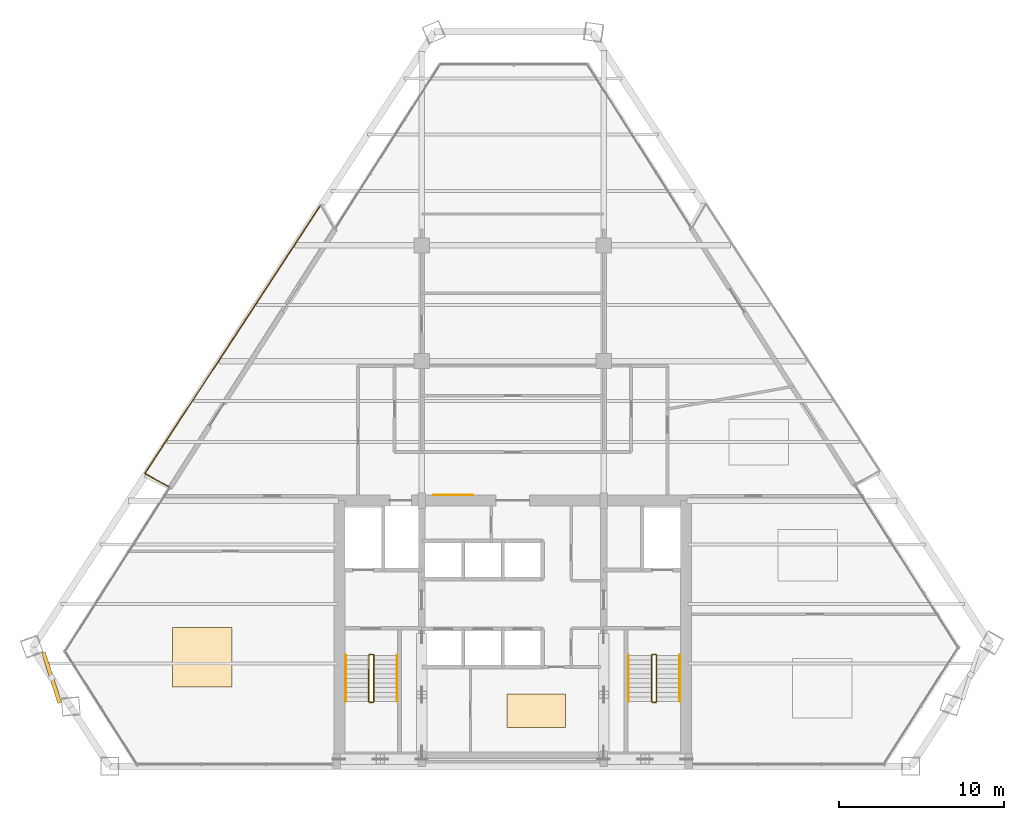
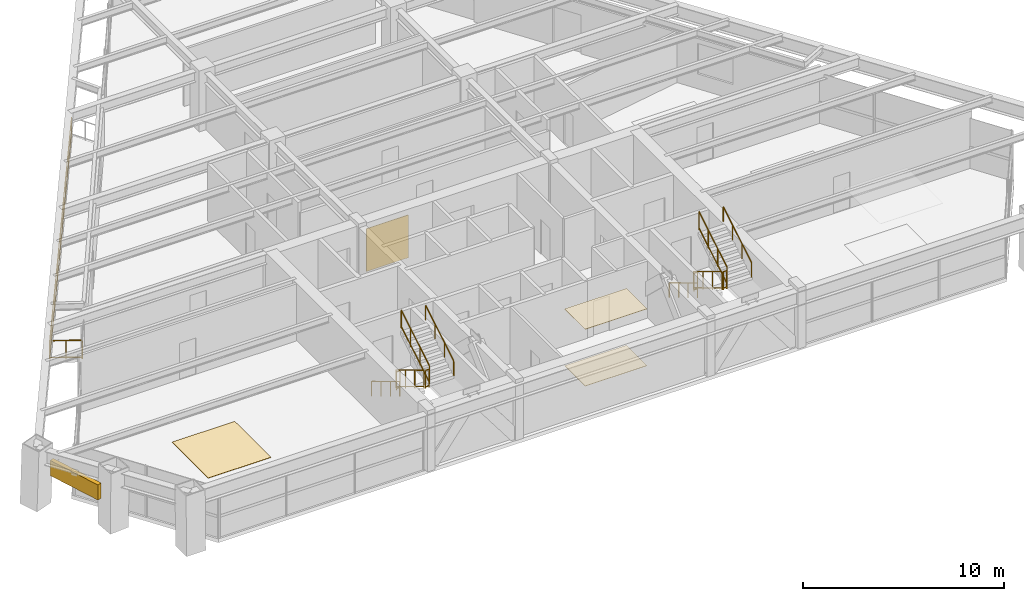
# One storey, part 14 of 15: 14 railings, 4 coverings, 1 shading device.
"""IFC4 building model written with IfcOpenShell, lengths in metres."""

import ifcopenshell
import ifcopenshell.guid

model = None  # the IFC model being written
_history = None  # IfcOwnerHistory: only IFC2X3 demands one
_inside = {}  # id of a spatial element -> (the spatial element, [elements in it])
_under = {}  # id of a project, library or spatial element -> (it, [spatial elements below it])
_declared = {}  # id of a project -> (the project, [libraries it declares])
_typed = {}  # id of a type object -> (the type object, [elements of that type])
_made_of = {}  # id of a material, layer set ... -> (it, [elements and type objects made of it])


def new_model(schema):
    """Start an empty IFC model of exactly this schema.

    Asked for "IFC4X3", IfcOpenShell would pick the latest addendum, in which some entities
    have other attributes; the version numbers below select the first issue.
    IFC2X3 requires an IfcOwnerHistory on every rooted entity: one is made here for all.
    """
    global model, _history
    if schema == "IFC4X3":
        model = ifcopenshell.file(schema_version=(4, 3, 0, 0))
    else:
        model = ifcopenshell.file(schema=schema)
    _inside.clear()
    _under.clear()
    _declared.clear()
    _typed.clear()
    _made_of.clear()
    _history = None
    if model.schema == "IFC2X3":
        org = make("IfcOrganization", Name="unknown")
        user = make(
            "IfcPersonAndOrganization",
            ThePerson=make("IfcPerson", FamilyName="unknown"),
            TheOrganization=org,
        )
        app = make(
            "IfcApplication",
            ApplicationDeveloper=org,
            Version="unknown",
            ApplicationFullName="unknown",
            ApplicationIdentifier="unknown",
        )
        _history = make(
            "IfcOwnerHistory",
            OwningUser=user,
            OwningApplication=app,
            ChangeAction="ADDED",
            CreationDate=0,
        )
    return model


def make(cls, **values):
    """One entity of the class cls with the attributes given. An attribute that is None is left unset."""
    return model.create_entity(
        cls, **{name: value for name, value in values.items() if value is not None}
    )


def rooted(cls, **values):
    """An entity with a GlobalId (a new one), such as an element, a storey or a relation."""
    return make(cls, GlobalId=ifcopenshell.guid.new(), OwnerHistory=_history, **values)


def si_unit(unit_type, name, prefix=None):
    """IfcSIUnit, for example si_unit("LENGTHUNIT", "METRE", prefix="MILLI")."""
    return make("IfcSIUnit", UnitType=unit_type, Prefix=prefix, Name=name)


def assignment(units):
    """IfcUnitAssignment: the units of a project."""
    return None if units is None else make("IfcUnitAssignment", Units=units)


def point(xyz):
    """IfcCartesianPoint."""
    return None if xyz is None else make("IfcCartesianPoint", Coordinates=xyz)


def direction(xyz):
    """IfcDirection."""
    return None if xyz is None else make("IfcDirection", DirectionRatios=xyz)


def frame(location, z_axis=None, x_axis=None):
    """IfcAxis2Placement3D, a coordinate frame: its origin and axes. An axis left out is left unset."""
    return make(
        "IfcAxis2Placement3D",
        Location=point(location),
        Axis=direction(z_axis),
        RefDirection=direction(x_axis),
    )


def frame_2d(location, x_axis=None):
    """IfcAxis2Placement2D, a coordinate frame in the plane: its origin and x axis."""
    return make(
        "IfcAxis2Placement2D", Location=point(location), RefDirection=direction(x_axis)
    )


def origin():
    """The frame at (0, 0, 0) with its axes left unset."""
    return frame((0.0, 0.0, 0.0))


def origin_2d():
    """The frame at (0, 0) in the plane with its x axis left unset."""
    return frame_2d((0.0, 0.0))


def place(relative_to, where):
    """IfcLocalPlacement: puts the frame where relative to a parent placement (None: the world)."""
    return make(
        "IfcLocalPlacement", PlacementRelTo=relative_to, RelativePlacement=where
    )


def context(
    kind, dimensions, precision=None, world=None, true_north=None, identifier=None
):
    """IfcGeometricRepresentationContext, for example the 3D "Model" context."""
    return make(
        "IfcGeometricRepresentationContext",
        ContextIdentifier=identifier,
        ContextType=kind,
        CoordinateSpaceDimension=dimensions,
        Precision=precision,
        WorldCoordinateSystem=world,
        TrueNorth=true_north,
    )


def subcontext(parent, identifier, kind, view, scale=None):
    """IfcGeometricRepresentationSubContext, for example "Body" below "Model"."""
    return make(
        "IfcGeometricRepresentationSubContext",
        ContextIdentifier=identifier,
        ContextType=kind,
        ParentContext=parent,
        TargetScale=scale,
        TargetView=view,
    )


def project(units=None, contexts=None):
    """IfcProject with its units and contexts."""
    return rooted(
        "IfcProject",
        Name="project",
        RepresentationContexts=contexts,
        UnitsInContext=assignment(units),
    )


def spatial(cls, under=None, at=None, **own):
    """A site, building, storey or space (cls), placed at a placement, below another one or the project."""
    s = rooted(cls, ObjectPlacement=at, **own)
    if under is not None:
        _under.setdefault(under.id(), (under, []))[1].append(s)
    return s


def profile(cls, at=None, kind="AREA", **sizes):
    """A parametric profile (cls). Its sizes go by their IFC names, for example OverallWidth=200.0."""
    return make(cls, ProfileType=kind, Position=at, **sizes)


def rectangle(**sizes):
    """IfcRectangleProfileDef."""
    return profile("IfcRectangleProfileDef", **sizes)


def extrude(swept, where, along, depth):
    """IfcExtrudedAreaSolid: the profile swept, set in the frame where, extruded along a direction by depth."""
    return make(
        "IfcExtrudedAreaSolid",
        SweptArea=swept,
        Position=where,
        ExtrudedDirection=direction(along),
        Depth=depth,
    )


def shape(context_of_items, identifier, shape_type, items):
    """IfcShapeRepresentation: the items that make up one representation, for example the "Body"."""
    return make(
        "IfcShapeRepresentation",
        ContextOfItems=context_of_items,
        RepresentationIdentifier=identifier,
        RepresentationType=shape_type,
        Items=items,
    )


def source(mapping_origin, context_of_items, identifier, shape_type, items):
    """IfcRepresentationMap: a shape defined once, which mapped items show again and again."""
    return make(
        "IfcRepresentationMap",
        MappingOrigin=mapping_origin,
        MappedRepresentation=shape(context_of_items, identifier, shape_type, items),
    )


def transform(
    local_origin,
    x_axis=None,
    y_axis=None,
    z_axis=None,
    scale=None,
    scale2=None,
    scale3=None,
    uniform=True,
):
    """IfcCartesianTransformationOperator3D, or its non-uniform kind. x_axis, y_axis, z_axis: its Axis1, 2, 3."""
    if uniform:
        return make(
            "IfcCartesianTransformationOperator3D",
            Axis1=direction(x_axis),
            Axis2=direction(y_axis),
            LocalOrigin=point(local_origin),
            Scale=scale,
            Axis3=direction(z_axis),
        )
    return make(
        "IfcCartesianTransformationOperator3DnonUniform",
        Axis1=direction(x_axis),
        Axis2=direction(y_axis),
        LocalOrigin=point(local_origin),
        Scale=scale,
        Axis3=direction(z_axis),
        Scale2=scale2,
        Scale3=scale3,
    )


def mapped(mapping_source, mapping_target):
    """IfcMappedItem: shows the shape of a source again, moved by a transform."""
    return make(
        "IfcMappedItem", MappingSource=mapping_source, MappingTarget=mapping_target
    )


def material(Name=None, Category=None):
    """IfcMaterial."""
    return make("IfcMaterial", Name=Name, Category=Category)


def layer(
    of_material, thickness, ventilated=None, Name=None, Category=None, Priority=None
):
    """IfcMaterialLayer: one layer of a wall or slab, of a material (None: an air gap)."""
    return make(
        "IfcMaterialLayer",
        Material=of_material,
        LayerThickness=thickness,
        IsVentilated=ventilated,
        Name=Name,
        Category=Category,
        Priority=Priority,
    )


def layer_set(layers, Name=None):
    """IfcMaterialLayerSet."""
    return make("IfcMaterialLayerSet", MaterialLayers=layers, LayerSetName=Name)


def made_of(thing, what):
    """Note that an element or type object is made of a material, layer set ...; save() writes the relation."""
    if what is not None:
        _made_of.setdefault(what.id(), (what, []))[1].append(thing)
    return thing


def type_object(cls, material=None, **own):
    """A type object (cls), such as IfcWallType, which elements share."""
    return made_of(rooted(cls, **own), material)


def type_shapes(of_type, sources):
    """Give a type object the sources (RepresentationMaps) that its elements show as mapped items."""
    of_type.RepresentationMaps = sources


def element(
    cls,
    number,
    at=None,
    inside=None,
    cuts=None,
    type_object=None,
    material=None,
    context=None,
    identifier="Body",
    shape_type=None,
    held_by="IfcProductDefinitionShape",
    body=None,
    shapes=None,
    **own,
):
    """One element of the class cls, such as IfcWall. Its Tag is "e" and its number.

    at: its placement. inside: the storey or other place that contains it. cuts: it is an
    opening in that element (IfcRelVoidsElement). A single representation is given by context,
    identifier, shape_type and body (its items); several are given by shapes. held_by: the class
    of the entity that holds the representations. save() writes the other relations.
    """
    e = rooted(cls, Tag="e%d" % number, ObjectPlacement=at, **own)
    if body is not None:
        shapes = [shape(context, identifier, shape_type, body)]
    if shapes is not None:
        e.Representation = make(held_by, Representations=shapes)
    if inside is not None:
        _inside.setdefault(inside.id(), (inside, []))[1].append(e)
    if cuts is not None:
        rooted(
            "IfcRelVoidsElement", RelatingBuildingElement=cuts, RelatedOpeningElement=e
        )
    if type_object is not None:
        _typed.setdefault(type_object.id(), (type_object, []))[1].append(e)
    return made_of(e, material)


def aggregate(whole, parts):
    """IfcRelAggregates: a whole, such as a stair, and the parts it consists of."""
    return rooted("IfcRelAggregates", RelatingObject=whole, RelatedObjects=parts)


def save(model, path):
    """Write the relations noted so far, then the file.

    IfcRelAggregates (storeys below a building ...), IfcRelContainedInSpatialStructure (elements
    in a storey), IfcRelDefinesByType, IfcRelAssociatesMaterial and IfcRelDeclares: one each for
    every whole, place, type object, material and project.
    """
    for whole, parts in _under.values():
        aggregate(whole, parts)
    for where, things in _inside.values():
        rooted(
            "IfcRelContainedInSpatialStructure",
            RelatedElements=things,
            RelatingStructure=where,
        )
    for kind, things in _typed.values():
        rooted("IfcRelDefinesByType", RelatedObjects=things, RelatingType=kind)
    for what, things in _made_of.values():
        rooted("IfcRelAssociatesMaterial", RelatedObjects=things, RelatingMaterial=what)
    for by, libraries in _declared.values():
        rooted("IfcRelDeclares", RelatingContext=by, RelatedDefinitions=libraries)
    model.write(path)


model = new_model("IFC4")

# Units and contexts
model_context = context("Model", 3, precision=1e-05, world=origin(), true_north=direction((0.0, 1.0)))
body_context = subcontext(model_context, "Body", "Model", "MODEL_VIEW")
ifc_project = project(units=[si_unit("LENGTHUNIT", "METRE"), si_unit("AREAUNIT", "SQUARE_METRE"), si_unit("VOLUMEUNIT", "CUBIC_METRE"), si_unit("PLANEANGLEUNIT", "RADIAN"), si_unit("MASSUNIT", "GRAM", prefix="KILO")], contexts=[model_context])

# Site, building, storey
site_placement = place(None, origin())
site = spatial("IfcSite", under=ifc_project, at=site_placement, CompositionType="ELEMENT")
building_placement = place(site_placement, origin())
building = spatial("IfcBuilding", under=site, at=building_placement, Name="Varnakhor Terracotta Tower", CompositionType="ELEMENT")
storey_placement = place(building_placement, frame((0.0, 0.0, 158.89990234375)))
storey = spatial("IfcBuildingStorey", under=building, at=storey_placement, Name="L40", CompositionType="ELEMENT", Elevation=158.89990234375)

# Railings
ifc_material_1 = material(Name="Stainless Steel & Laminated Glass Guardrail", Category="steel")
railing_type_1 = type_object("IfcRailingType", Name="RLG-LOGGIA-GUARD-1150", PredefinedType="GUARDRAIL", material=ifc_material_1)
railing_1_placement = place(storey_placement, frame((-20.835693359375, 16.917236328125, 0.0)))
element("IfcRailing", 1, at=railing_1_placement, inside=storey, type_object=railing_type_1, Name="L40 W Loggia Glass Guard 1", PredefinedType="GUARDRAIL", context=body_context, shape_type="SweptSolid", body=[
    extrude(rectangle(XDim=0.048095703125, YDim=0.048095703125, at=origin_2d()), frame((0.0, 0.0, 1.1259765625), z_axis=(-0.875643837802, 0.482957419779, 0.0), x_axis=(-0.482957419779, -0.875643837802, 0.0)), (0.0, 0.0, 1.0), 1.614501953125),
    extrude(rectangle(XDim=0.048095703125, YDim=0.048095703125, at=origin_2d()), frame((0.0, 0.0, 0.10009765625), z_axis=(-0.875643837802, 0.482957419779, 0.0), x_axis=(-0.482957419779, -0.875643837802, 0.0)), (0.0, 0.0, 1.0), 1.614501953125),
    extrude(rectangle(XDim=0.0419921875, YDim=0.0419921875, at=origin_2d()), origin(), (0.0, 0.0, 1.0), 1.101806640625),
    extrude(rectangle(XDim=0.0419921875, YDim=0.0419921875, at=origin_2d()), frame((-0.70703125, 0.389892578125, 0.0)), (0.0, 0.0, 1.0), 1.101806640625),
    extrude(rectangle(XDim=0.0419921875, YDim=0.0419921875, at=origin_2d()), frame((-1.413818359375, 0.77978515625, 0.0)), (0.0, 0.0, 1.0), 1.101806640625),
])
railing_2_placement = place(storey_placement, frame((-22.24951171875, 17.697021484375, 0.0)))
element("IfcRailing", 2, at=railing_2_placement, inside=storey, type_object=railing_type_1, Name="L40 W Loggia Glass Guard 2", PredefinedType="GUARDRAIL", context=body_context, shape_type="SweptSolid", body=[
    extrude(rectangle(XDim=0.048095703125, YDim=0.048095703125, at=origin_2d()), frame((0.0, 0.0, 1.1259765625), z_axis=(0.547724323389, 0.836658870489, 0.0), x_axis=(-0.836658870489, 0.547724323389, 0.0)), (0.0, 0.0, 1.0), 19.4130859375),
    extrude(rectangle(XDim=0.048095703125, YDim=0.048095703125, at=origin_2d()), frame((0.0, 0.0, 0.10009765625), z_axis=(0.547724323389, 0.836658870489, 0.0), x_axis=(-0.836658870489, 0.547724323389, 0.0)), (0.0, 0.0, 1.0), 19.4130859375),
    extrude(rectangle(XDim=0.0419921875, YDim=0.0419921875, at=origin_2d()), origin(), (0.0, 0.0, 1.0), 1.101806640625),
    extrude(rectangle(XDim=0.0419921875, YDim=0.0419921875, at=origin_2d()), frame((0.759521484375, 1.16015625, 0.0)), (0.0, 0.0, 1.0), 1.101806640625),
    extrude(rectangle(XDim=0.0419921875, YDim=0.0419921875, at=origin_2d()), frame((1.51904296875, 2.3203125, 0.0)), (0.0, 0.0, 1.0), 1.101806640625),
    extrude(rectangle(XDim=0.0419921875, YDim=0.0419921875, at=origin_2d()), frame((2.278564453125, 3.48046875, 0.0)), (0.0, 0.0, 1.0), 1.101806640625),
    extrude(rectangle(XDim=0.0419921875, YDim=0.0419921875, at=origin_2d()), frame((3.0380859375, 4.640625, 0.0)), (0.0, 0.0, 1.0), 1.101806640625),
    extrude(rectangle(XDim=0.0419921875, YDim=0.0419921875, at=origin_2d()), frame((3.797607421875, 5.80078125, 0.0)), (0.0, 0.0, 1.0), 1.101806640625),
    extrude(rectangle(XDim=0.0419921875, YDim=0.0419921875, at=origin_2d()), frame((4.55712890625, 6.9609375, 0.0)), (0.0, 0.0, 1.0), 1.101806640625),
    extrude(rectangle(XDim=0.0419921875, YDim=0.0419921875, at=origin_2d()), frame((5.31640625, 8.12109375, 0.0)), (0.0, 0.0, 1.0), 1.101806640625),
    extrude(rectangle(XDim=0.0419921875, YDim=0.0419921875, at=origin_2d()), frame((6.075927734375, 9.28125, 0.0)), (0.0, 0.0, 1.0), 1.101806640625),
    extrude(rectangle(XDim=0.0419921875, YDim=0.0419921875, at=origin_2d()), frame((6.83544921875, 10.44140625, 0.0)), (0.0, 0.0, 1.0), 1.101806640625),
    extrude(rectangle(XDim=0.0419921875, YDim=0.0419921875, at=origin_2d()), frame((7.594970703125, 11.6015625, 0.0)), (0.0, 0.0, 1.0), 1.101806640625),
    extrude(rectangle(XDim=0.0419921875, YDim=0.0419921875, at=origin_2d()), frame((8.3544921875, 12.76171875, 0.0)), (0.0, 0.0, 1.0), 1.101806640625),
    extrude(rectangle(XDim=0.0419921875, YDim=0.0419921875, at=origin_2d()), frame((9.114013671875, 13.921875, 0.0)), (0.0, 0.0, 1.0), 1.101806640625),
    extrude(rectangle(XDim=0.0419921875, YDim=0.0419921875, at=origin_2d()), frame((9.87353515625, 15.08203125, 0.0)), (0.0, 0.0, 1.0), 1.101806640625),
    extrude(rectangle(XDim=0.0419921875, YDim=0.0419921875, at=origin_2d()), frame((10.633056640625, 16.2421875, 0.0)), (0.0, 0.0, 1.0), 1.101806640625),
])
ifc_material_2 = material(Name="Painted Steel Stairwell Guardrail", Category="steel")
railing_type_2 = type_object("IfcRailingType", Name="RLG-STAIR-GUARD-1120", PredefinedType="GUARDRAIL", material=ifc_material_2)
railing_3_placement = place(storey_placement, frame((-8.699951171875, 6.7099609375, 0.168212890625)))
element("IfcRailing", 3, at=railing_3_placement, inside=storey, type_object=railing_type_2, Name="L40 ST-1 stair guard 1", PredefinedType="GUARDRAIL", context=body_context, shape_type="SweptSolid", body=[
    extrude(rectangle(XDim=0.048095703125, YDim=0.048095703125, at=origin_2d()), frame((0.0, 0.0, 1.09619140625), z_axis=(0.0, -0.857242210791, 0.514913383045), x_axis=(1.0, 0.0, 0.0)), (0.0, 0.0, 1.0), 3.266357421875),
    extrude(rectangle(XDim=0.048095703125, YDim=0.048095703125, at=origin_2d()), frame((0.0, 0.0, 0.10009765625), z_axis=(0.0, -0.857242210791, 0.514913383045), x_axis=(1.0, 0.0, 0.0)), (0.0, 0.0, 1.0), 3.266357421875),
    extrude(rectangle(XDim=0.0419921875, YDim=0.0419921875, at=origin_2d()), origin(), (0.0, 0.0, 1.0), 1.072021484375),
    extrude(rectangle(XDim=0.0419921875, YDim=0.0419921875, at=origin_2d()), frame((0.0, -0.933349609375, 0.560546875)), (0.0, 0.0, 1.0), 1.072021484375),
    extrude(rectangle(XDim=0.0419921875, YDim=0.0419921875, at=origin_2d()), frame((0.0, -1.86669921875, 1.121337890625)), (0.0, 0.0, 1.0), 1.072021484375),
    extrude(rectangle(XDim=0.0419921875, YDim=0.0419921875, at=origin_2d()), frame((0.0, -2.800048828125, 1.681884765625)), (0.0, 0.0, 1.0), 1.072021484375),
])
railing_4_placement = place(storey_placement, frame((-8.64990234375, 3.860107421875, 1.85009765625)))
element("IfcRailing", 4, at=railing_4_placement, inside=storey, type_object=railing_type_2, Name="L40 ST-1 stair guard 2", PredefinedType="GUARDRAIL", context=body_context, shape_type="SweptSolid", body=[
    extrude(rectangle(XDim=0.048095703125, YDim=0.048095703125, at=origin_2d()), frame((0.0, 0.0, 1.09619140625), z_axis=(1.0, 0.0, 0.0), x_axis=(0.0, 1.0, 0.0)), (0.0, 0.0, 1.0), 0.199951171875),
    extrude(rectangle(XDim=0.048095703125, YDim=0.048095703125, at=origin_2d()), frame((0.0, 0.0, 0.10009765625), z_axis=(1.0, 0.0, 0.0), x_axis=(0.0, 1.0, 0.0)), (0.0, 0.0, 1.0), 0.199951171875),
    extrude(rectangle(XDim=0.0419921875, YDim=0.0419921875, at=origin_2d()), origin(), (0.0, 0.0, 1.0), 1.072021484375),
    extrude(rectangle(XDim=0.0419921875, YDim=0.0419921875, at=origin_2d()), frame((0.199951171875, 0.0, 0.0)), (0.0, 0.0, 1.0), 1.072021484375),
])
railing_5_placement = place(storey_placement, frame((-8.39990234375, 3.909912109375, 2.018310546875)))
element("IfcRailing", 5, at=railing_5_placement, inside=storey, type_object=railing_type_2, Name="L40 ST-1 stair guard 3", PredefinedType="GUARDRAIL", context=body_context, shape_type="SweptSolid", body=[
    extrude(rectangle(XDim=0.048095703125, YDim=0.048095703125, at=origin_2d()), frame((0.0, 0.0, 1.09619140625), z_axis=(0.0, 0.857242210791, 0.514913383045), x_axis=(-1.0, 0.0, 0.0)), (0.0, 0.0, 1.0), 3.266357421875),
    extrude(rectangle(XDim=0.048095703125, YDim=0.048095703125, at=origin_2d()), frame((0.0, 0.0, 0.10009765625), z_axis=(0.0, 0.857242210791, 0.514913383045), x_axis=(-1.0, 0.0, 0.0)), (0.0, 0.0, 1.0), 3.266357421875),
    extrude(rectangle(XDim=0.0419921875, YDim=0.0419921875, at=origin_2d()), origin(), (0.0, 0.0, 1.0), 1.072021484375),
    extrude(rectangle(XDim=0.0419921875, YDim=0.0419921875, at=origin_2d()), frame((0.0, 0.933349609375, 0.560546875)), (0.0, 0.0, 1.0), 1.072021484375),
    extrude(rectangle(XDim=0.0419921875, YDim=0.0419921875, at=origin_2d()), frame((0.0, 1.86669921875, 1.121337890625)), (0.0, 0.0, 1.0), 1.072021484375),
    extrude(rectangle(XDim=0.0419921875, YDim=0.0419921875, at=origin_2d()), frame((0.0, 2.800048828125, 1.681884765625)), (0.0, 0.0, 1.0), 1.072021484375),
])
railing_6_placement = place(storey_placement, frame((-8.64990234375, 6.760009765625, 0.0)))
element("IfcRailing", 6, at=railing_6_placement, inside=storey, type_object=railing_type_2, Name="L40 ST-1 stair guard 4", PredefinedType="GUARDRAIL", context=body_context, shape_type="SweptSolid", body=[
    extrude(rectangle(XDim=0.048095703125, YDim=0.048095703125, at=origin_2d()), frame((0.0, 0.0, 1.09619140625), z_axis=(1.0, 0.0, 0.0), x_axis=(0.0, 1.0, 0.0)), (0.0, 0.0, 1.0), 0.199951171875),
    extrude(rectangle(XDim=0.048095703125, YDim=0.048095703125, at=origin_2d()), frame((0.0, 0.0, 0.10009765625), z_axis=(1.0, 0.0, 0.0), x_axis=(0.0, 1.0, 0.0)), (0.0, 0.0, 1.0), 0.199951171875),
    extrude(rectangle(XDim=0.0419921875, YDim=0.0419921875, at=origin_2d()), origin(), (0.0, 0.0, 1.0), 1.072021484375),
    extrude(rectangle(XDim=0.0419921875, YDim=0.0419921875, at=origin_2d()), frame((0.199951171875, 0.0, 0.0)), (0.0, 0.0, 1.0), 1.072021484375),
])
railing_7_placement = place(storey_placement, frame((8.39990234375, 6.7099609375, 0.168212890625)))
element("IfcRailing", 7, at=railing_7_placement, inside=storey, type_object=railing_type_2, Name="L40 ST-2 stair guard 1", PredefinedType="GUARDRAIL", context=body_context, shape_type="SweptSolid", body=[
    extrude(rectangle(XDim=0.048095703125, YDim=0.048095703125, at=origin_2d()), frame((0.0, 0.0, 1.09619140625), z_axis=(0.0, -0.857242210791, 0.514913383045), x_axis=(1.0, 0.0, 0.0)), (0.0, 0.0, 1.0), 3.266357421875),
    extrude(rectangle(XDim=0.048095703125, YDim=0.048095703125, at=origin_2d()), frame((0.0, 0.0, 0.10009765625), z_axis=(0.0, -0.857242210791, 0.514913383045), x_axis=(1.0, 0.0, 0.0)), (0.0, 0.0, 1.0), 3.266357421875),
    extrude(rectangle(XDim=0.0419921875, YDim=0.0419921875, at=origin_2d()), origin(), (0.0, 0.0, 1.0), 1.072021484375),
    extrude(rectangle(XDim=0.0419921875, YDim=0.0419921875, at=origin_2d()), frame((0.0, -0.933349609375, 0.560546875)), (0.0, 0.0, 1.0), 1.072021484375),
    extrude(rectangle(XDim=0.0419921875, YDim=0.0419921875, at=origin_2d()), frame((0.0, -1.86669921875, 1.121337890625)), (0.0, 0.0, 1.0), 1.072021484375),
    extrude(rectangle(XDim=0.0419921875, YDim=0.0419921875, at=origin_2d()), frame((0.0, -2.800048828125, 1.681884765625)), (0.0, 0.0, 1.0), 1.072021484375),
])
railing_8_placement = place(storey_placement, frame((8.449951171875, 3.860107421875, 1.85009765625)))
element("IfcRailing", 8, at=railing_8_placement, inside=storey, type_object=railing_type_2, Name="L40 ST-2 stair guard 2", PredefinedType="GUARDRAIL", context=body_context, shape_type="SweptSolid", body=[
    extrude(rectangle(XDim=0.048095703125, YDim=0.048095703125, at=origin_2d()), frame((0.0, 0.0, 1.09619140625), z_axis=(1.0, 0.0, 0.0), x_axis=(0.0, 1.0, 0.0)), (0.0, 0.0, 1.0), 0.199951171875),
    extrude(rectangle(XDim=0.048095703125, YDim=0.048095703125, at=origin_2d()), frame((0.0, 0.0, 0.10009765625), z_axis=(1.0, 0.0, 0.0), x_axis=(0.0, 1.0, 0.0)), (0.0, 0.0, 1.0), 0.199951171875),
    extrude(rectangle(XDim=0.0419921875, YDim=0.0419921875, at=origin_2d()), origin(), (0.0, 0.0, 1.0), 1.072021484375),
    extrude(rectangle(XDim=0.0419921875, YDim=0.0419921875, at=origin_2d()), frame((0.199951171875, 0.0, 0.0)), (0.0, 0.0, 1.0), 1.072021484375),
])
railing_9_placement = place(storey_placement, frame((8.699951171875, 3.909912109375, 2.018310546875)))
element("IfcRailing", 9, at=railing_9_placement, inside=storey, type_object=railing_type_2, Name="L40 ST-2 stair guard 3", PredefinedType="GUARDRAIL", context=body_context, shape_type="SweptSolid", body=[
    extrude(rectangle(XDim=0.048095703125, YDim=0.048095703125, at=origin_2d()), frame((0.0, 0.0, 1.09619140625), z_axis=(0.0, 0.857242210791, 0.514913383045), x_axis=(-1.0, 0.0, 0.0)), (0.0, 0.0, 1.0), 3.266357421875),
    extrude(rectangle(XDim=0.048095703125, YDim=0.048095703125, at=origin_2d()), frame((0.0, 0.0, 0.10009765625), z_axis=(0.0, 0.857242210791, 0.514913383045), x_axis=(-1.0, 0.0, 0.0)), (0.0, 0.0, 1.0), 3.266357421875),
    extrude(rectangle(XDim=0.0419921875, YDim=0.0419921875, at=origin_2d()), origin(), (0.0, 0.0, 1.0), 1.072021484375),
    extrude(rectangle(XDim=0.0419921875, YDim=0.0419921875, at=origin_2d()), frame((0.0, 0.933349609375, 0.560546875)), (0.0, 0.0, 1.0), 1.072021484375),
    extrude(rectangle(XDim=0.0419921875, YDim=0.0419921875, at=origin_2d()), frame((0.0, 1.86669921875, 1.121337890625)), (0.0, 0.0, 1.0), 1.072021484375),
    extrude(rectangle(XDim=0.0419921875, YDim=0.0419921875, at=origin_2d()), frame((0.0, 2.800048828125, 1.681884765625)), (0.0, 0.0, 1.0), 1.072021484375),
])
railing_10_placement = place(storey_placement, frame((8.449951171875, 6.760009765625, 0.0)))
element("IfcRailing", 10, at=railing_10_placement, inside=storey, type_object=railing_type_2, Name="L40 ST-2 stair guard 4", PredefinedType="GUARDRAIL", context=body_context, shape_type="SweptSolid", body=[
    extrude(rectangle(XDim=0.048095703125, YDim=0.048095703125, at=origin_2d()), frame((0.0, 0.0, 1.09619140625), z_axis=(1.0, 0.0, 0.0), x_axis=(0.0, 1.0, 0.0)), (0.0, 0.0, 1.0), 0.199951171875),
    extrude(rectangle(XDim=0.048095703125, YDim=0.048095703125, at=origin_2d()), frame((0.0, 0.0, 0.10009765625), z_axis=(1.0, 0.0, 0.0), x_axis=(0.0, 1.0, 0.0)), (0.0, 0.0, 1.0), 0.199951171875),
    extrude(rectangle(XDim=0.0419921875, YDim=0.0419921875, at=origin_2d()), origin(), (0.0, 0.0, 1.0), 1.072021484375),
    extrude(rectangle(XDim=0.0419921875, YDim=0.0419921875, at=origin_2d()), frame((0.199951171875, 0.0, 0.0)), (0.0, 0.0, 1.0), 1.072021484375),
])
ifc_material_3 = material(Name="Brushed Stainless Steel Handrail", Category="steel")
railing_type_3 = type_object("IfcRailingType", Name="RLG-STAIR-HANDRAIL-920", PredefinedType="HANDRAIL", material=ifc_material_3)
railing_11_placement = place(storey_placement, frame((-10.10009765625, 6.7099609375, 0.168212890625)))
element("IfcRailing", 11, at=railing_11_placement, inside=storey, type_object=railing_type_3, Name="L40 ST-1 stair handrail 1", PredefinedType="HANDRAIL", context=body_context, shape_type="SweptSolid", body=[
    extrude(rectangle(XDim=0.048095703125, YDim=0.048095703125, at=origin_2d()), frame((0.0, 0.0, 0.89599609375), z_axis=(0.0, -0.857242210791, 0.514913383045), x_axis=(1.0, 0.0, 0.0)), (0.0, 0.0, 1.0), 3.266357421875),
    extrude(rectangle(XDim=0.0419921875, YDim=0.0419921875, at=origin_2d()), origin(), (0.0, 0.0, 1.0), 0.871826171875),
    extrude(rectangle(XDim=0.0419921875, YDim=0.0419921875, at=origin_2d()), frame((0.0, -0.933349609375, 0.560546875)), (0.0, 0.0, 1.0), 0.871826171875),
    extrude(rectangle(XDim=0.0419921875, YDim=0.0419921875, at=origin_2d()), frame((0.0, -1.86669921875, 1.121337890625)), (0.0, 0.0, 1.0), 0.871826171875),
    extrude(rectangle(XDim=0.0419921875, YDim=0.0419921875, at=origin_2d()), frame((0.0, -2.800048828125, 1.681884765625)), (0.0, 0.0, 1.0), 0.871826171875),
])
railing_12_placement = place(storey_placement, frame((-7.0, 3.909912109375, 2.018310546875)))
element("IfcRailing", 12, at=railing_12_placement, inside=storey, type_object=railing_type_3, Name="L40 ST-1 stair handrail 2", PredefinedType="HANDRAIL", context=body_context, shape_type="SweptSolid", body=[
    extrude(rectangle(XDim=0.048095703125, YDim=0.048095703125, at=origin_2d()), frame((0.0, 0.0, 0.89599609375), z_axis=(0.0, 0.857242210791, 0.514913383045), x_axis=(-1.0, 0.0, 0.0)), (0.0, 0.0, 1.0), 3.266357421875),
    extrude(rectangle(XDim=0.0419921875, YDim=0.0419921875, at=origin_2d()), origin(), (0.0, 0.0, 1.0), 0.871826171875),
    extrude(rectangle(XDim=0.0419921875, YDim=0.0419921875, at=origin_2d()), frame((0.0, 0.933349609375, 0.560546875)), (0.0, 0.0, 1.0), 0.871826171875),
    extrude(rectangle(XDim=0.0419921875, YDim=0.0419921875, at=origin_2d()), frame((0.0, 1.86669921875, 1.121337890625)), (0.0, 0.0, 1.0), 0.871826171875),
    extrude(rectangle(XDim=0.0419921875, YDim=0.0419921875, at=origin_2d()), frame((0.0, 2.800048828125, 1.681884765625)), (0.0, 0.0, 1.0), 0.871826171875),
])
railing_13_placement = place(storey_placement, frame((7.0, 6.7099609375, 0.168212890625)))
element("IfcRailing", 13, at=railing_13_placement, inside=storey, type_object=railing_type_3, Name="L40 ST-2 stair handrail 1", PredefinedType="HANDRAIL", context=body_context, shape_type="SweptSolid", body=[
    extrude(rectangle(XDim=0.048095703125, YDim=0.048095703125, at=origin_2d()), frame((0.0, 0.0, 0.89599609375), z_axis=(0.0, -0.857242210791, 0.514913383045), x_axis=(1.0, 0.0, 0.0)), (0.0, 0.0, 1.0), 3.266357421875),
    extrude(rectangle(XDim=0.0419921875, YDim=0.0419921875, at=origin_2d()), origin(), (0.0, 0.0, 1.0), 0.871826171875),
    extrude(rectangle(XDim=0.0419921875, YDim=0.0419921875, at=origin_2d()), frame((0.0, -0.933349609375, 0.560546875)), (0.0, 0.0, 1.0), 0.871826171875),
    extrude(rectangle(XDim=0.0419921875, YDim=0.0419921875, at=origin_2d()), frame((0.0, -1.86669921875, 1.121337890625)), (0.0, 0.0, 1.0), 0.871826171875),
    extrude(rectangle(XDim=0.0419921875, YDim=0.0419921875, at=origin_2d()), frame((0.0, -2.800048828125, 1.681884765625)), (0.0, 0.0, 1.0), 0.871826171875),
])
railing_14_placement = place(storey_placement, frame((10.10009765625, 3.909912109375, 2.018310546875)))
element("IfcRailing", 14, at=railing_14_placement, inside=storey, type_object=railing_type_3, Name="L40 ST-2 stair handrail 2", PredefinedType="HANDRAIL", context=body_context, shape_type="SweptSolid", body=[
    extrude(rectangle(XDim=0.048095703125, YDim=0.048095703125, at=origin_2d()), frame((0.0, 0.0, 0.89599609375), z_axis=(0.0, 0.857242210791, 0.514913383045), x_axis=(-1.0, 0.0, 0.0)), (0.0, 0.0, 1.0), 3.266357421875),
    extrude(rectangle(XDim=0.0419921875, YDim=0.0419921875, at=origin_2d()), origin(), (0.0, 0.0, 1.0), 0.871826171875),
    extrude(rectangle(XDim=0.0419921875, YDim=0.0419921875, at=origin_2d()), frame((0.0, 0.933349609375, 0.560546875)), (0.0, 0.0, 1.0), 0.871826171875),
    extrude(rectangle(XDim=0.0419921875, YDim=0.0419921875, at=origin_2d()), frame((0.0, 1.86669921875, 1.121337890625)), (0.0, 0.0, 1.0), 0.871826171875),
    extrude(rectangle(XDim=0.0419921875, YDim=0.0419921875, at=origin_2d()), frame((0.0, 2.800048828125, 1.681884765625)), (0.0, 0.0, 1.0), 0.871826171875),
])

# Shading device
ifc_material_4 = material(Name="Extruded Architectural Terracotta Screen", Category="masonry")
shading_device_type = type_object("IfcShadingDeviceType", Name="TERRACOTTA SOLAR SCREEN W", PredefinedType="USERDEFINED", material=ifc_material_4)
shared_shape_1 = source(origin(), body_context, "Body", "SweptSolid", [
    extrude(rectangle(XDim=3.199951171875, YDim=0.239990234375, at=origin_2d()), origin(), (0.0, 0.0, 1.0), 0.919921875),
])
type_shapes(shading_device_type, [shared_shape_1])
shading_device_placement = place(storey_placement, frame((-27.889404296875, 5.349853515625, 1.710205078125), z_axis=(0.0, 0.0, 1.0), x_axis=(0.31042757455, -0.950597033952, 0.0)))
element("IfcShadingDevice", 15, at=shading_device_placement, inside=storey, type_object=shading_device_type, Name="L40 W Terracotta Solar Screen", ObjectType="SCREEN", PredefinedType="USERDEFINED", context=body_context, shape_type="MappedRepresentation", body=[
    mapped(shared_shape_1, transform((0.0, 0.0, 0.0), scale=1.0)),
])

# Coverings
ifc_material_5 = material(Name="Extruded Architectural Terracotta Cladding", Category="masonry")
ifc_layer_1 = layer(ifc_material_5, 0.044921875, Name="Extruded Architectural Terracotta Cladding")
ifc_layer_set_1 = layer_set([ifc_layer_1], Name="Extruded Architectural Terracotta Cladding")
covering_type_1 = type_object("IfcCoveringType", Name="COV-CLAD-TERRACOTTA", PredefinedType="CLADDING", material=ifc_layer_set_1)
shared_shape_2 = source(origin(), body_context, "Body", "SweptSolid", [
    extrude(rectangle(XDim=2.39990234375, YDim=0.030029296875, at=origin_2d()), origin(), (0.0, 0.0, 1.0), 2.60009765625),
])
type_shapes(covering_type_1, [shared_shape_2])
covering_1_placement = place(storey_placement, frame((-3.60009765625, 16.412109375, 0.0), z_axis=(0.0, 0.0, 1.0), x_axis=(1.0, 0.0, 0.0)))
element("IfcCovering", 16, at=covering_1_placement, inside=storey, type_object=covering_type_1, Name="L40 Core Lobby Limestone Cladding", PredefinedType="CLADDING", context=body_context, shape_type="MappedRepresentation", body=[
    mapped(shared_shape_2, transform((0.0, 0.0, 0.0), scale=1.0)),
])
ifc_material_6 = material(Name="Honed Riyadh Limestone Flooring", Category="masonry")
ifc_layer_2 = layer(ifc_material_6, 0.030029296875, Name="Honed Riyadh Limestone Flooring")
ifc_layer_set_2 = layer_set([ifc_layer_2], Name="Honed Riyadh Limestone Flooring")
covering_type_2 = type_object("IfcCoveringType", Name="COV-FLOOR-LIMESTONE", PredefinedType="FLOORING", material=ifc_layer_set_2)
shared_shape_3 = source(origin(), body_context, "Body", "SweptSolid", [
    extrude(rectangle(XDim=3.60009765625, YDim=3.60009765625, at=origin_2d()), origin(), (0.0, 0.0, 1.0), 0.02001953125),
])
covering_2_placement = place(storey_placement, frame((-18.784912109375, 6.60205078125, 0.0), z_axis=(0.0, 0.0, 1.0), x_axis=(1.0, 0.0, 0.0)))
element("IfcCovering", 17, at=covering_2_placement, inside=storey, type_object=covering_type_2, Name="L40 Honed Stone Flooring 3", PredefinedType="FLOORING", context=body_context, shape_type="MappedRepresentation", body=[
    mapped(shared_shape_3, transform((0.0, 0.0, 0.0), scale=1.0)),
])
shared_shape_4 = source(origin(), body_context, "Body", "SweptSolid", [
    extrude(rectangle(XDim=3.547119140625, YDim=2.041015625, at=origin_2d()), origin(), (0.0, 0.0, 1.0), 0.02001953125),
])
covering_3_placement = place(storey_placement, frame((1.4150390625, 3.35498046875, 0.0), z_axis=(0.0, 0.0, 1.0), x_axis=(1.0, 0.0, 0.0)))
element("IfcCovering", 18, at=covering_3_placement, inside=storey, type_object=covering_type_2, Name="L40 Honed Stone Flooring 1", PredefinedType="FLOORING", context=body_context, shape_type="MappedRepresentation", body=[
    mapped(shared_shape_4, transform((0.0, 0.0, 0.0), scale=1.0)),
])
ifc_material_7 = material(Name="Perforated Acoustic Mineral-Fibre Ceiling", Category="gypsum")
ifc_layer_3 = layer(ifc_material_7, 0.02490234375, Name="Perforated Acoustic Mineral-Fibre Ceiling")
ifc_layer_set_3 = layer_set([ifc_layer_3], Name="Perforated Acoustic Mineral-Fibre Ceiling")
covering_type_3 = type_object("IfcCoveringType", Name="COV-CEILING-ACOUSTIC", PredefinedType="CEILING", material=ifc_layer_set_3)
shared_shape_5 = source(origin(), body_context, "Body", "SweptSolid", [
    extrude(rectangle(XDim=3.547119140625, YDim=2.041015625, at=origin_2d()), origin(), (0.0, 0.0, 1.0), 0.02392578125),
])
covering_4_placement = place(storey_placement, frame((1.4150390625, 3.35498046875, 3.446044921875), z_axis=(0.0, 0.0, 1.0), x_axis=(1.0, 0.0, 0.0)))
element("IfcCovering", 19, at=covering_4_placement, inside=storey, type_object=covering_type_3, Name="L40 Acoustic Ceiling Panel 1", PredefinedType="CEILING", context=body_context, shape_type="MappedRepresentation", body=[
    mapped(shared_shape_5, transform((0.0, 0.0, 0.0), scale=1.0)),
])

save(model, "model.ifc")
